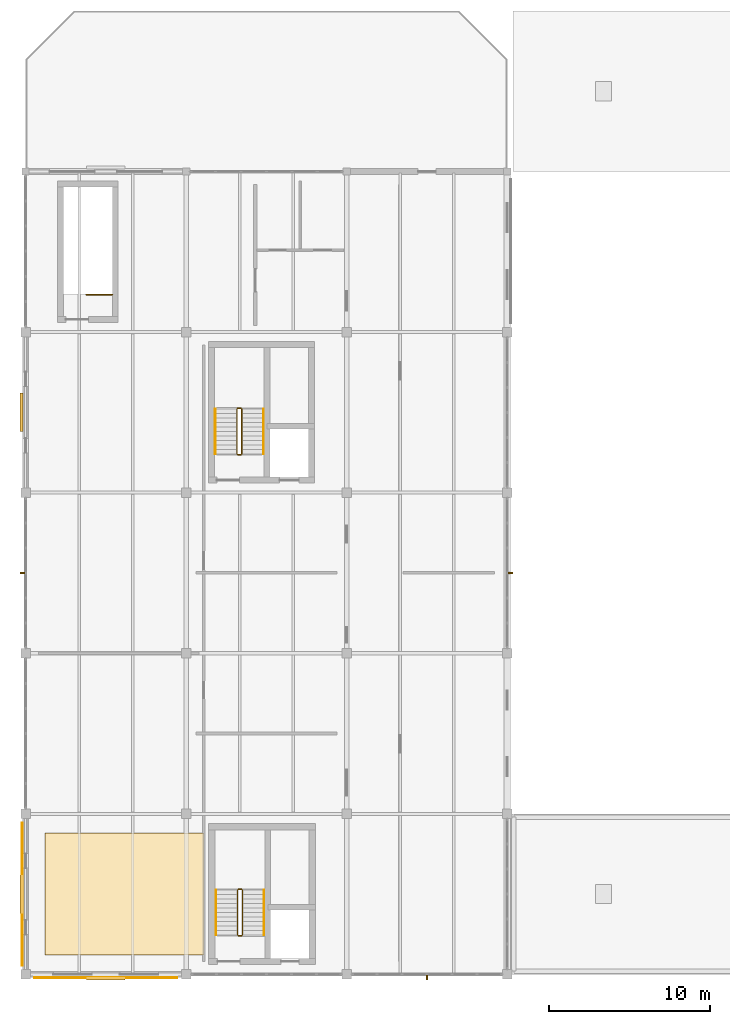
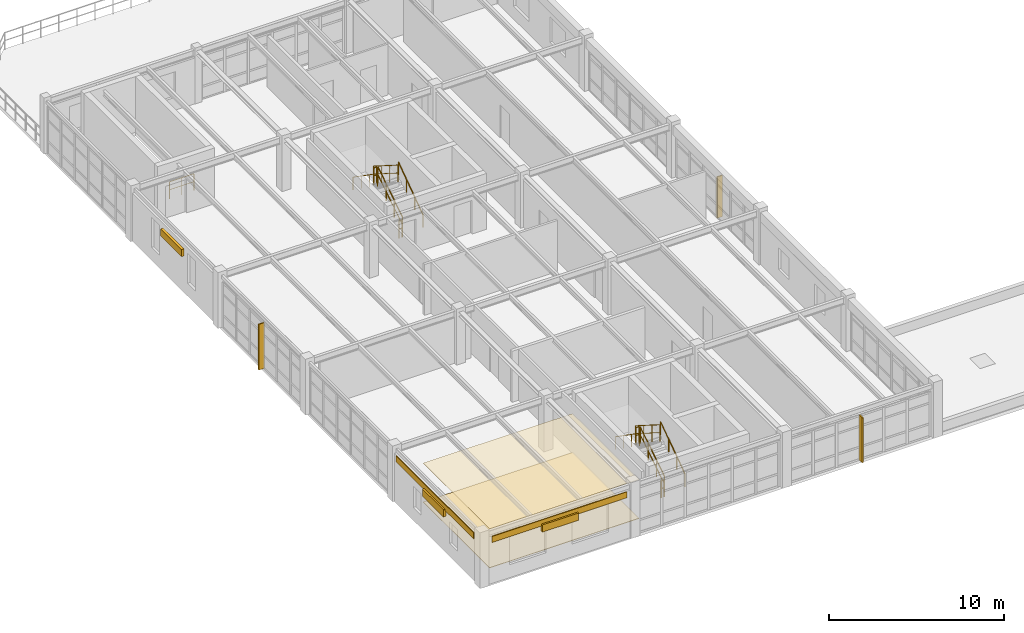
# One storey, part 22 of 23: 13 railings, 6 shading devices, 4 coverings.
"""IFC4 building model written with IfcOpenShell, lengths in metres."""

from ifc_helpers import new_model, si_unit, direction, frame, origin, origin_2d, place, context, subcontext, project, spatial, polyline, rectangle, circle, outline, extrude, material, layer, layer_set, type_object, element, save


model = new_model("IFC4")

# Units and contexts
model_context = context("Model", 3, precision=1e-05, world=origin(), true_north=direction((0.0, 1.0)))
body_context = subcontext(model_context, "Body", "Model", "MODEL_VIEW")
ifc_project = project(units=[si_unit("LENGTHUNIT", "METRE"), si_unit("AREAUNIT", "SQUARE_METRE"), si_unit("VOLUMEUNIT", "CUBIC_METRE"), si_unit("PLANEANGLEUNIT", "RADIAN"), si_unit("MASSUNIT", "GRAM", prefix="KILO"), si_unit("THERMODYNAMICTEMPERATUREUNIT", "KELVIN"), si_unit("POWERUNIT", "WATT")], contexts=[model_context])

# Site, building, storey
site_placement = place(None, origin())
site = spatial("IfcSite", under=ifc_project, at=site_placement, CompositionType="ELEMENT")
building_placement = place(site_placement, origin())
building = spatial("IfcBuilding", under=site, at=building_placement, Name="Korenveer Ferry Terminal", CompositionType="ELEMENT")
storey_placement = place(building_placement, frame((0.0, 0.0, 14.39990234375)))
storey = spatial("IfcBuildingStorey", under=building, at=storey_placement, Name="L03", CompositionType="ELEMENT", Elevation=14.39990234375)

# Coverings
ifc_material_1 = material(Name="Carved Belgian bluestone spandrel cladding", Category="masonry")
ifc_layer_1 = layer(ifc_material_1, 0.050048828125)
ifc_layer_set_1 = layer_set([ifc_layer_1], Name="Carved Belgian bluestone spandrel cladding")
covering_type_1 = type_object("IfcCoveringType", Name="ENV-COV-STONE", PredefinedType="CLADDING", material=ifc_layer_set_1)
covering_1_placement = place(storey_placement, frame((0.0, 0.0, 2.900146484375)))
element("IfcCovering", 1, at=covering_1_placement, inside=storey, type_object=covering_type_1, Name="Belgian bluestone spandrel band 23", PredefinedType="CLADDING", context=body_context, shape_type="SweptSolid", body=[
    extrude(outline(polyline([(0.550048828125, 19.764892578125), (9.449951171875, 19.764892578125), (9.449951171875, 19.81494140625), (0.550048828125, 19.81494140625), (0.550048828125, 19.764892578125)])), origin(), (0.0, 0.0, 1.0), 0.419921875),
])
covering_2_placement = place(storey_placement, frame((0.0, 0.0, 2.9501953125)))
element("IfcCovering", 2, at=covering_2_placement, inside=storey, type_object=covering_type_1, Name="Belgian bluestone spandrel band 24", PredefinedType="CLADDING", context=body_context, shape_type="SweptSolid", body=[
    extrude(outline(polyline([(-0.235107421875, 20.550048828125), (-0.18505859375, 20.550048828125), (-0.18505859375, 29.449951171875), (-0.235107421875, 29.449951171875), (-0.235107421875, 20.550048828125)])), origin(), (0.0, 0.0, 1.0), 0.419921875),
])

# Shading devices
ifc_material_2 = material(Name="Anodised bronze aluminium solar fin", Category="aluminium")
shading_device_type_1 = type_object("IfcShadingDeviceType", Name="ENV-SHD-FIN", PredefinedType="JALOUSIE", material=ifc_material_2)
shading_device_1_placement = place(storey_placement, frame((25.0, 19.840087890625, -0.02001953125), z_axis=(0.0, 0.0, 1.0), x_axis=(0.0, 1.0, 0.0)))
element("IfcShadingDevice", 3, at=shading_device_1_placement, inside=storey, type_object=shading_device_type_1, Name="Gothic solar fin 61", PredefinedType="JALOUSIE", context=body_context, shape_type="SweptSolid", body=[
    extrude(rectangle(XDim=0.360107421875, YDim=0.080078125, at=origin_2d()), origin(), (0.0, 0.0, 1.0), 3.139892578125),
])
shading_device_2_placement = place(storey_placement, frame((-0.159912109375, 45.0, -0.019775390625), z_axis=(0.0, 0.0, 1.0), x_axis=(1.0, 0.0, 0.0)))
element("IfcShadingDevice", 4, at=shading_device_2_placement, inside=storey, type_object=shading_device_type_1, Name="Gothic solar fin 62", PredefinedType="JALOUSIE", context=body_context, shape_type="SweptSolid", body=[
    extrude(rectangle(XDim=0.360107421875, YDim=0.080078125, at=origin_2d()), origin(), (0.0, 0.0, 1.0), 3.18994140625),
])
shading_device_3_placement = place(storey_placement, frame((30.159912109375, 45.0, -0.02001953125), z_axis=(0.0, 0.0, 1.0), x_axis=(1.0, 0.0, 0.0)))
element("IfcShadingDevice", 5, at=shading_device_3_placement, inside=storey, type_object=shading_device_type_1, Name="Gothic solar fin 63", PredefinedType="JALOUSIE", context=body_context, shape_type="SweptSolid", body=[
    extrude(rectangle(XDim=0.360107421875, YDim=0.080078125, at=origin_2d()), origin(), (0.0, 0.0, 1.0), 2.889892578125),
])
ifc_material_3 = material(Name="Anodised bronze aluminium acoustic louvre", Category="aluminium")
shading_device_type_2 = type_object("IfcShadingDeviceType", Name="ENV-SHD-LVR", PredefinedType="SHUTTER", material=ifc_material_3)
for number, where, z_axis, x_axis, name in (
    (6, (5.0, 19.739990234375, 2.550048828125), (0.0, 0.0, 1.0), (1.0, 0.0, 0.0), "Plant facade intake louvre 5"),
    (7, (-0.260009765625, 25.0, 2.550048828125), (0.0, 0.0, 1.0), (0.0, 1.0, 0.0), "Plant facade intake louvre 7"),
    (8, (-0.260009765625, 55.0, 2.550048828125), (0.0, 0.0, 1.0), (0.0, 1.0, 0.0), "Plant facade intake louvre 8"),
):
    element("IfcShadingDevice", number, at=place(storey_placement, frame(where, z_axis=z_axis, x_axis=x_axis)), inside=storey, type_object=shading_device_type_2, Name=name, PredefinedType="SHUTTER", context=body_context, shape_type="SweptSolid", body=[
        extrude(rectangle(XDim=2.39990234375, YDim=0.179931640625, at=origin_2d()), origin(), (0.0, 0.0, 1.0), 0.5),
    ])

# Coverings
ifc_material_4 = material(Name="Mineral acoustic ceiling board", Category="other")
ifc_layer_2 = layer(ifc_material_4, 0.02490234375)
ifc_layer_set_2 = layer_set([ifc_layer_2], Name="Mineral acoustic ceiling board")
covering_type_2 = type_object("IfcCoveringType", Name="INT-COV-CEIL", PredefinedType="CEILING", material=ifc_layer_set_2)
covering_3_placement = place(storey_placement, frame((0.0, 0.0, 2.72509765625)))
element("IfcCovering", 9, at=covering_3_placement, inside=storey, type_object=covering_type_2, Name="Acoustic room ceiling 11", PredefinedType="CEILING", context=body_context, shape_type="SweptSolid", body=[
    extrude(outline(polyline([(1.199951171875, 21.199951171875), (11.10009765625, 21.199951171875), (11.10009765625, 28.800048828125), (1.199951171875, 28.800048828125), (1.199951171875, 21.199951171875)])), origin(), (0.0, 0.0, 1.0), 0.02490234375),
])
ifc_material_5 = material(Name="Polished terrazzo tile finish", Category="masonry")
ifc_layer_3 = layer(ifc_material_5, 0.030029296875)
ifc_layer_set_3 = layer_set([ifc_layer_3], Name="Polished terrazzo tile finish")
covering_type_3 = type_object("IfcCoveringType", Name="INT-COV-FLR", PredefinedType="FLOORING", material=ifc_layer_set_3)
covering_4_placement = place(storey_placement, origin())
element("IfcCovering", 10, at=covering_4_placement, inside=storey, type_object=covering_type_3, Name="Terrazzo floor finish 11", PredefinedType="FLOORING", context=body_context, shape_type="SweptSolid", body=[
    extrude(outline(polyline([(1.199951171875, 21.199951171875), (11.10009765625, 21.199951171875), (11.10009765625, 28.800048828125), (1.199951171875, 28.800048828125), (1.199951171875, 21.199951171875)])), origin(), (0.0, 0.0, 1.0), 0.030029296875),
])

# Railings
ifc_material_6 = material(Name="Brushed stainless steel handrail", Category="steel")
railing_type_1 = type_object("IfcRailingType", Name="INT-RL-HND90", PredefinedType="HANDRAIL", material=ifc_material_6)
railing_1_placement = place(storey_placement, frame((14.85009765625, 22.449951171875, 0.177490234375)))
element("IfcRailing", 11, at=railing_1_placement, inside=storey, type_object=railing_type_1, Name="L03 ST01 stair handrail 1", PredefinedType="HANDRAIL", context=body_context, shape_type="SweptSolid", body=[
    extrude(circle(Radius=0.02392578125, at=origin_2d()), frame((0.0, 0.0, 0.8759765625), z_axis=(0.0, 0.820617800343, 0.571477406168), x_axis=(-1.0, 0.0, 0.0)), (0.0, 0.0, 1.0), 3.412109375),
    extrude(circle(Radius=0.02099609375, at=origin_2d()), origin(), (0.0, 0.0, 1.0), 0.851806640625),
    extrude(circle(Radius=0.02099609375, at=origin_2d()), frame((0.0, 0.933349609375, 0.64990234375)), (0.0, 0.0, 1.0), 0.851806640625),
    extrude(circle(Radius=0.02099609375, at=origin_2d()), frame((0.0, 1.86669921875, 1.300048828125)), (0.0, 0.0, 1.0), 0.851806640625),
    extrude(circle(Radius=0.02099609375, at=origin_2d()), frame((0.0, 2.800048828125, 1.949951171875)), (0.0, 0.0, 1.0), 0.851806640625),
])
railing_2_placement = place(storey_placement, frame((11.85009765625, 25.25, 2.12744140625)))
element("IfcRailing", 12, at=railing_2_placement, inside=storey, type_object=railing_type_1, Name="L03 ST01 stair handrail 2", PredefinedType="HANDRAIL", context=body_context, shape_type="SweptSolid", body=[
    extrude(circle(Radius=0.02392578125, at=origin_2d()), frame((0.0, 0.0, 0.8759765625), z_axis=(0.0, -0.820617800343, 0.571477406168), x_axis=(1.0, 0.0, 0.0)), (0.0, 0.0, 1.0), 3.412109375),
    extrude(circle(Radius=0.02099609375, at=origin_2d()), origin(), (0.0, 0.0, 1.0), 0.851806640625),
    extrude(circle(Radius=0.02099609375, at=origin_2d()), frame((0.0, -0.933349609375, 0.64990234375)), (0.0, 0.0, 1.0), 0.851806640625),
    extrude(circle(Radius=0.02099609375, at=origin_2d()), frame((0.0, -1.86669921875, 1.300048828125)), (0.0, 0.0, 1.0), 0.851806640625),
    extrude(circle(Radius=0.02099609375, at=origin_2d()), frame((0.0, -2.800048828125, 1.949951171875)), (0.0, 0.0, 1.0), 0.851806640625),
])
railing_3_placement = place(storey_placement, frame((14.81005859375, 52.409912109375, 0.177490234375)))
element("IfcRailing", 13, at=railing_3_placement, inside=storey, type_object=railing_type_1, Name="L03 ST02 stair handrail 1", PredefinedType="HANDRAIL", context=body_context, shape_type="SweptSolid", body=[
    extrude(circle(Radius=0.02392578125, at=origin_2d()), frame((0.0, 0.0, 0.8759765625), z_axis=(0.0, 0.820617800343, 0.571477406168), x_axis=(-1.0, 0.0, 0.0)), (0.0, 0.0, 1.0), 3.412109375),
    extrude(circle(Radius=0.02099609375, at=origin_2d()), origin(), (0.0, 0.0, 1.0), 0.851806640625),
    extrude(circle(Radius=0.02099609375, at=origin_2d()), frame((0.0, 0.933349609375, 0.64990234375)), (0.0, 0.0, 1.0), 0.851806640625),
    extrude(circle(Radius=0.02099609375, at=origin_2d()), frame((0.0, 1.86669921875, 1.300048828125)), (0.0, 0.0, 1.0), 0.851806640625),
    extrude(circle(Radius=0.02099609375, at=origin_2d()), frame((0.0, 2.800048828125, 1.949951171875)), (0.0, 0.0, 1.0), 0.851806640625),
])
railing_4_placement = place(storey_placement, frame((11.81005859375, 55.2099609375, 2.12744140625)))
element("IfcRailing", 14, at=railing_4_placement, inside=storey, type_object=railing_type_1, Name="L03 ST02 stair handrail 2", PredefinedType="HANDRAIL", context=body_context, shape_type="SweptSolid", body=[
    extrude(circle(Radius=0.02392578125, at=origin_2d()), frame((0.0, 0.0, 0.8759765625), z_axis=(0.0, -0.820617800343, 0.571477406168), x_axis=(1.0, 0.0, 0.0)), (0.0, 0.0, 1.0), 3.412109375),
    extrude(circle(Radius=0.02099609375, at=origin_2d()), origin(), (0.0, 0.0, 1.0), 0.851806640625),
    extrude(circle(Radius=0.02099609375, at=origin_2d()), frame((0.0, -0.933349609375, 0.64990234375)), (0.0, 0.0, 1.0), 0.851806640625),
    extrude(circle(Radius=0.02099609375, at=origin_2d()), frame((0.0, -1.86669921875, 1.300048828125)), (0.0, 0.0, 1.0), 0.851806640625),
    extrude(circle(Radius=0.02099609375, at=origin_2d()), frame((0.0, -2.800048828125, 1.949951171875)), (0.0, 0.0, 1.0), 0.851806640625),
])
ifc_material_7 = material(Name="Painted steel stair guard", Category="steel")
railing_type_2 = type_object("IfcRailingType", Name="INT-RL-STGRD", PredefinedType="GUARDRAIL", material=ifc_material_7)
railing_5_placement = place(storey_placement, frame((13.5, 22.449951171875, 0.177490234375)))
element("IfcRailing", 15, at=railing_5_placement, inside=storey, type_object=railing_type_2, Name="L03 ST01 stair guard 1", PredefinedType="GUARDRAIL", context=body_context, shape_type="SweptSolid", body=[
    extrude(circle(Radius=0.02392578125, at=origin_2d()), frame((0.0, 0.0, 1.17578125), z_axis=(0.0, 0.844908973607, 0.534910110503), x_axis=(-1.0, 0.0, 0.0)), (0.0, 0.0, 1.0), 3.31396484375),
    extrude(circle(Radius=0.01806640625, at=origin_2d()), frame((0.0, 0.0, 0.6240234375), z_axis=(0.0, 0.844908973607, 0.534910110503), x_axis=(-1.0, 0.0, 0.0)), (0.0, 0.0, 1.0), 3.31396484375),
    extrude(circle(Radius=0.02099609375, at=origin_2d()), origin(), (0.0, 0.0, 1.0), 1.15185546875),
    extrude(circle(Radius=0.02099609375, at=origin_2d()), frame((0.0, 0.933349609375, 0.5908203125)), (0.0, 0.0, 1.0), 1.15185546875),
    extrude(circle(Radius=0.02099609375, at=origin_2d()), frame((0.0, 1.86669921875, 1.181884765625)), (0.0, 0.0, 1.0), 1.15185546875),
    extrude(circle(Radius=0.02099609375, at=origin_2d()), frame((0.0, 2.800048828125, 1.772705078125)), (0.0, 0.0, 1.0), 1.15185546875),
])
railing_6_placement = place(storey_placement, frame((13.449951171875, 25.300048828125, 1.9501953125)))
element("IfcRailing", 16, at=railing_6_placement, inside=storey, type_object=railing_type_2, Name="L03 ST01 stair guard 2", PredefinedType="GUARDRAIL", context=body_context, shape_type="SweptSolid", body=[
    extrude(circle(Radius=0.02392578125, at=origin_2d()), frame((0.0, 0.0, 1.17578125), z_axis=(-1.0, 0.0, 0.0), x_axis=(0.0, -1.0, 0.0)), (0.0, 0.0, 1.0), 0.199951171875),
    extrude(circle(Radius=0.01806640625, at=origin_2d()), frame((0.0, 0.0, 0.6240234375), z_axis=(-1.0, 0.0, 0.0), x_axis=(0.0, -1.0, 0.0)), (0.0, 0.0, 1.0), 0.199951171875),
    extrude(circle(Radius=0.02099609375, at=origin_2d()), origin(), (0.0, 0.0, 1.0), 1.15185546875),
    extrude(circle(Radius=0.02099609375, at=origin_2d()), frame((-0.199951171875, 0.0, 0.0)), (0.0, 0.0, 1.0), 1.15185546875),
])
railing_7_placement = place(storey_placement, frame((13.199951171875, 25.25, 2.12744140625)))
element("IfcRailing", 17, at=railing_7_placement, inside=storey, type_object=railing_type_2, Name="L03 ST01 stair guard 3", PredefinedType="GUARDRAIL", context=body_context, shape_type="SweptSolid", body=[
    extrude(circle(Radius=0.02392578125, at=origin_2d()), frame((0.0, 0.0, 1.17578125), z_axis=(0.0, -0.844908973607, 0.534910110503), x_axis=(1.0, 0.0, 0.0)), (0.0, 0.0, 1.0), 3.31396484375),
    extrude(circle(Radius=0.01806640625, at=origin_2d()), frame((0.0, 0.0, 0.6240234375), z_axis=(0.0, -0.844908973607, 0.534910110503), x_axis=(1.0, 0.0, 0.0)), (0.0, 0.0, 1.0), 3.31396484375),
    extrude(circle(Radius=0.02099609375, at=origin_2d()), origin(), (0.0, 0.0, 1.0), 1.15185546875),
    extrude(circle(Radius=0.02099609375, at=origin_2d()), frame((0.0, -0.933349609375, 0.5908203125)), (0.0, 0.0, 1.0), 1.15185546875),
    extrude(circle(Radius=0.02099609375, at=origin_2d()), frame((0.0, -1.86669921875, 1.181884765625)), (0.0, 0.0, 1.0), 1.15185546875),
    extrude(circle(Radius=0.02099609375, at=origin_2d()), frame((0.0, -2.800048828125, 1.772705078125)), (0.0, 0.0, 1.0), 1.15185546875),
])
railing_8_placement = place(storey_placement, frame((13.449951171875, 22.39990234375, 0.0)))
element("IfcRailing", 18, at=railing_8_placement, inside=storey, type_object=railing_type_2, Name="L03 ST01 stair guard 4", PredefinedType="GUARDRAIL", context=body_context, shape_type="SweptSolid", body=[
    extrude(circle(Radius=0.02392578125, at=origin_2d()), frame((0.0, 0.0, 1.17578125), z_axis=(-1.0, 0.0, 0.0), x_axis=(0.0, -1.0, 0.0)), (0.0, 0.0, 1.0), 0.199951171875),
    extrude(circle(Radius=0.01806640625, at=origin_2d()), frame((0.0, 0.0, 0.6240234375), z_axis=(-1.0, 0.0, 0.0), x_axis=(0.0, -1.0, 0.0)), (0.0, 0.0, 1.0), 0.199951171875),
    extrude(circle(Radius=0.02099609375, at=origin_2d()), origin(), (0.0, 0.0, 1.0), 1.15185546875),
    extrude(circle(Radius=0.02099609375, at=origin_2d()), frame((-0.199951171875, 0.0, 0.0)), (0.0, 0.0, 1.0), 1.15185546875),
])
railing_9_placement = place(storey_placement, frame((13.4599609375, 52.409912109375, 0.177490234375)))
element("IfcRailing", 19, at=railing_9_placement, inside=storey, type_object=railing_type_2, Name="L03 ST02 stair guard 1", PredefinedType="GUARDRAIL", context=body_context, shape_type="SweptSolid", body=[
    extrude(circle(Radius=0.02392578125, at=origin_2d()), frame((0.0, 0.0, 1.17578125), z_axis=(0.0, 0.844908973607, 0.534910110503), x_axis=(-1.0, 0.0, 0.0)), (0.0, 0.0, 1.0), 3.31396484375),
    extrude(circle(Radius=0.01806640625, at=origin_2d()), frame((0.0, 0.0, 0.6240234375), z_axis=(0.0, 0.844908973607, 0.534910110503), x_axis=(-1.0, 0.0, 0.0)), (0.0, 0.0, 1.0), 3.31396484375),
    extrude(circle(Radius=0.02099609375, at=origin_2d()), origin(), (0.0, 0.0, 1.0), 1.15185546875),
    extrude(circle(Radius=0.02099609375, at=origin_2d()), frame((0.0, 0.933349609375, 0.5908203125)), (0.0, 0.0, 1.0), 1.15185546875),
    extrude(circle(Radius=0.02099609375, at=origin_2d()), frame((0.0, 1.86669921875, 1.181884765625)), (0.0, 0.0, 1.0), 1.15185546875),
    extrude(circle(Radius=0.02099609375, at=origin_2d()), frame((0.0, 2.800048828125, 1.772705078125)), (0.0, 0.0, 1.0), 1.15185546875),
])
railing_10_placement = place(storey_placement, frame((13.409912109375, 55.260009765625, 1.9501953125)))
element("IfcRailing", 20, at=railing_10_placement, inside=storey, type_object=railing_type_2, Name="L03 ST02 stair guard 2", PredefinedType="GUARDRAIL", context=body_context, shape_type="SweptSolid", body=[
    extrude(circle(Radius=0.02392578125, at=origin_2d()), frame((0.0, 0.0, 1.17578125), z_axis=(-1.0, 0.0, 0.0), x_axis=(0.0, -1.0, 0.0)), (0.0, 0.0, 1.0), 0.199951171875),
    extrude(circle(Radius=0.01806640625, at=origin_2d()), frame((0.0, 0.0, 0.6240234375), z_axis=(-1.0, 0.0, 0.0), x_axis=(0.0, -1.0, 0.0)), (0.0, 0.0, 1.0), 0.199951171875),
    extrude(circle(Radius=0.02099609375, at=origin_2d()), origin(), (0.0, 0.0, 1.0), 1.15185546875),
    extrude(circle(Radius=0.02099609375, at=origin_2d()), frame((-0.199951171875, 0.0, 0.0)), (0.0, 0.0, 1.0), 1.15185546875),
])
railing_11_placement = place(storey_placement, frame((13.159912109375, 55.2099609375, 2.12744140625)))
element("IfcRailing", 21, at=railing_11_placement, inside=storey, type_object=railing_type_2, Name="L03 ST02 stair guard 3", PredefinedType="GUARDRAIL", context=body_context, shape_type="SweptSolid", body=[
    extrude(circle(Radius=0.02392578125, at=origin_2d()), frame((0.0, 0.0, 1.17578125), z_axis=(0.0, -0.844908973607, 0.534910110503), x_axis=(1.0, 0.0, 0.0)), (0.0, 0.0, 1.0), 3.31396484375),
    extrude(circle(Radius=0.01806640625, at=origin_2d()), frame((0.0, 0.0, 0.6240234375), z_axis=(0.0, -0.844908973607, 0.534910110503), x_axis=(1.0, 0.0, 0.0)), (0.0, 0.0, 1.0), 3.31396484375),
    extrude(circle(Radius=0.02099609375, at=origin_2d()), origin(), (0.0, 0.0, 1.0), 1.15185546875),
    extrude(circle(Radius=0.02099609375, at=origin_2d()), frame((0.0, -0.933349609375, 0.5908203125)), (0.0, 0.0, 1.0), 1.15185546875),
    extrude(circle(Radius=0.02099609375, at=origin_2d()), frame((0.0, -1.86669921875, 1.181884765625)), (0.0, 0.0, 1.0), 1.15185546875),
    extrude(circle(Radius=0.02099609375, at=origin_2d()), frame((0.0, -2.800048828125, 1.772705078125)), (0.0, 0.0, 1.0), 1.15185546875),
])
railing_12_placement = place(storey_placement, frame((13.409912109375, 52.360107421875, 0.0)))
element("IfcRailing", 22, at=railing_12_placement, inside=storey, type_object=railing_type_2, Name="L03 ST02 stair guard 4", PredefinedType="GUARDRAIL", context=body_context, shape_type="SweptSolid", body=[
    extrude(circle(Radius=0.02392578125, at=origin_2d()), frame((0.0, 0.0, 1.17578125), z_axis=(-1.0, 0.0, 0.0), x_axis=(0.0, -1.0, 0.0)), (0.0, 0.0, 1.0), 0.199951171875),
    extrude(circle(Radius=0.01806640625, at=origin_2d()), frame((0.0, 0.0, 0.6240234375), z_axis=(-1.0, 0.0, 0.0), x_axis=(0.0, -1.0, 0.0)), (0.0, 0.0, 1.0), 0.199951171875),
    extrude(circle(Radius=0.02099609375, at=origin_2d()), origin(), (0.0, 0.0, 1.0), 1.15185546875),
    extrude(circle(Radius=0.02099609375, at=origin_2d()), frame((-0.199951171875, 0.0, 0.0)), (0.0, 0.0, 1.0), 1.15185546875),
])
railing_13_placement = place(storey_placement, frame((5.39990234375, 62.330078125, 0.0)))
element("IfcRailing", 23, at=railing_13_placement, inside=storey, type_object=railing_type_2, Name="L03 ST11 top well guard 1", PredefinedType="GUARDRAIL", context=body_context, shape_type="SweptSolid", body=[
    extrude(circle(Radius=0.02392578125, at=origin_2d()), frame((0.0, 0.0, 1.17578125), z_axis=(-1.0, 0.0, 0.0), x_axis=(0.0, -1.0, 0.0)), (0.0, 0.0, 1.0), 1.619873046875),
    extrude(circle(Radius=0.01806640625, at=origin_2d()), frame((0.0, 0.0, 0.6240234375), z_axis=(-1.0, 0.0, 0.0), x_axis=(0.0, -1.0, 0.0)), (0.0, 0.0, 1.0), 1.619873046875),
    extrude(circle(Radius=0.02099609375, at=origin_2d()), origin(), (0.0, 0.0, 1.0), 1.15185546875),
    extrude(circle(Radius=0.02099609375, at=origin_2d()), frame((-0.81005859375, 0.0, 0.0)), (0.0, 0.0, 1.0), 1.15185546875),
    extrude(circle(Radius=0.02099609375, at=origin_2d()), frame((-1.619873046875, 0.0, 0.0)), (0.0, 0.0, 1.0), 1.15185546875),
])

save(model, "model.ifc")
